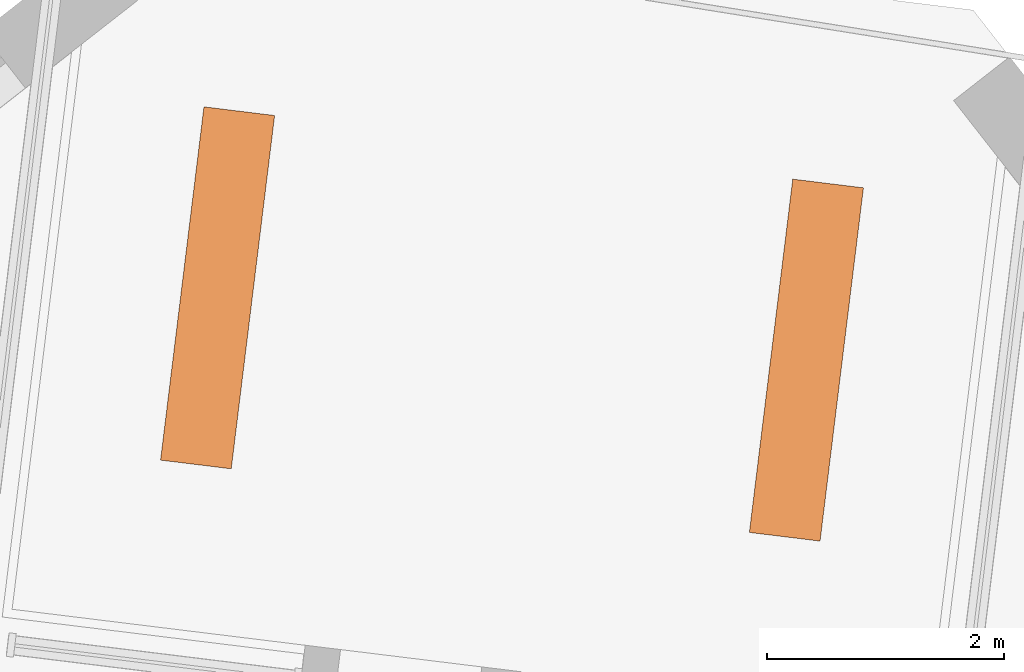
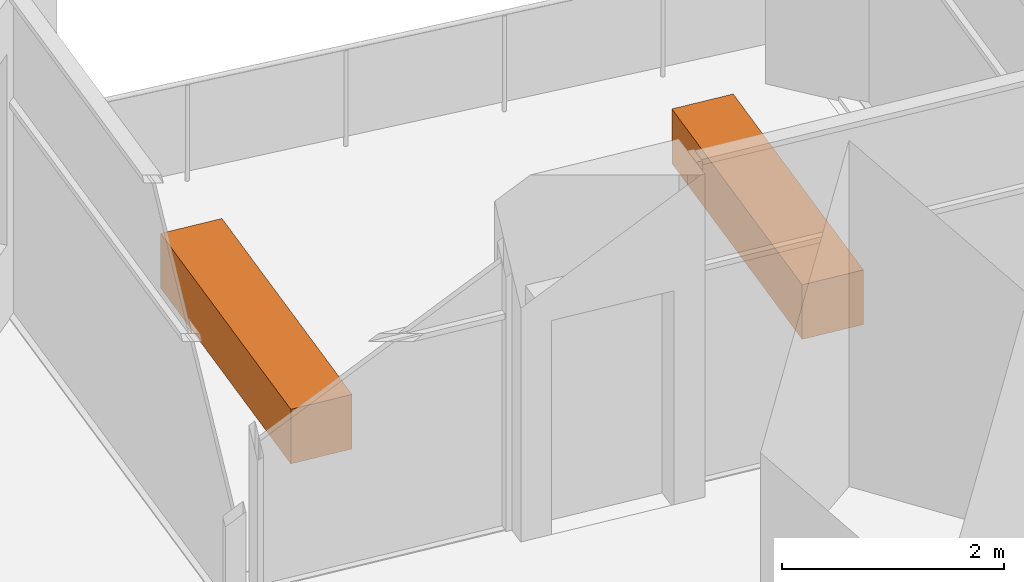
# One storey, part 11 of 11: 2 proxies.
"""IFC4 building model written with IfcOpenShell, lengths in metres."""

from ifc_helpers import new_model, si_unit, direction, frame, origin, origin_2d, place, context, subcontext, project, spatial, rectangle, extrude, element, save


model = new_model("IFC4")

# Units and contexts
model_context = context("Model", 3, precision=1e-05, world=origin(), true_north=direction((0.0, 1.0)))
body_context = subcontext(model_context, "Body", "Model", "MODEL_VIEW")
ifc_project = project(units=[si_unit("LENGTHUNIT", "METRE"), si_unit("AREAUNIT", "SQUARE_METRE"), si_unit("VOLUMEUNIT", "CUBIC_METRE"), si_unit("PLANEANGLEUNIT", "RADIAN"), si_unit("MASSUNIT", "GRAM", prefix="KILO")], contexts=[model_context])

# Site, building, storey
site_placement = place(None, origin())
site = spatial("IfcSite", under=ifc_project, at=site_placement, CompositionType="ELEMENT")
building_placement = place(site_placement, origin())
building = spatial("IfcBuilding", under=site, at=building_placement, Name="Dilmun Exchange Tower", CompositionType="ELEMENT")
storey_placement = place(building_placement, frame((0.0, 0.0, 175.699951171875)))
storey = spatial("IfcBuildingStorey", under=building, at=storey_placement, Name="L41", CompositionType="ELEMENT", Elevation=175.699951171875)

# Proxies
for number, where, z_axis, x_axis, name in (
    (1, (9.0595703125, 32.382568359375, 0.0), (0.0, 0.0, 1.0), (0.121869343405, 0.992546151641, 0.0), "PLANTER Desert shrub L41.1"),
    (2, (4.0966796875, 32.991943359375, 0.0), (0.0, 0.0, 1.0), (0.121869343405, 0.992546151641, 0.0), "PLANTER Desert shrub L41.2"),
):
    element("IfcBuildingElementProxy", number, at=place(storey_placement, frame(where, z_axis=z_axis, x_axis=x_axis)), inside=storey, Name=name, ObjectType="PLANTER", PredefinedType="USERDEFINED", context=body_context, shape_type="SweptSolid", body=[
        extrude(rectangle(XDim=3.0, YDim=0.60009765625, at=origin_2d()), origin(), (0.0, 0.0, 1.0), 0.60009765625),
    ])

save(model, "model.ifc")
